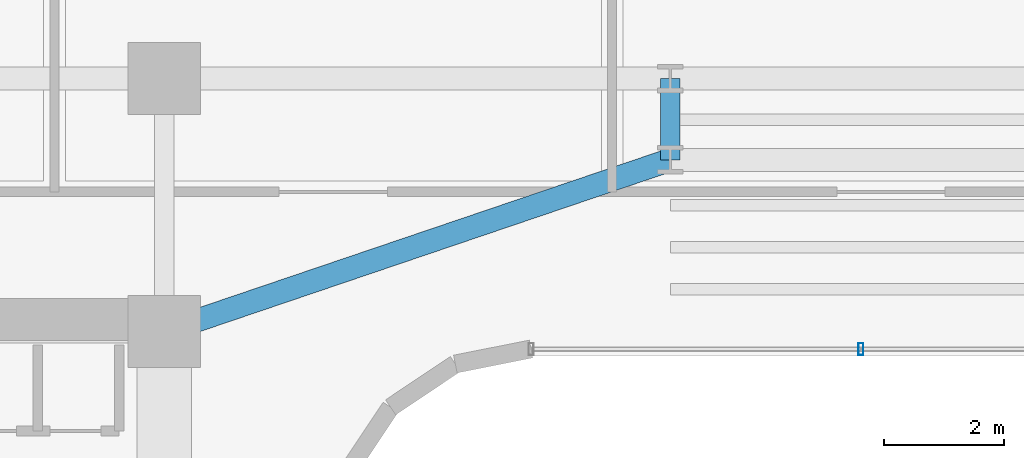
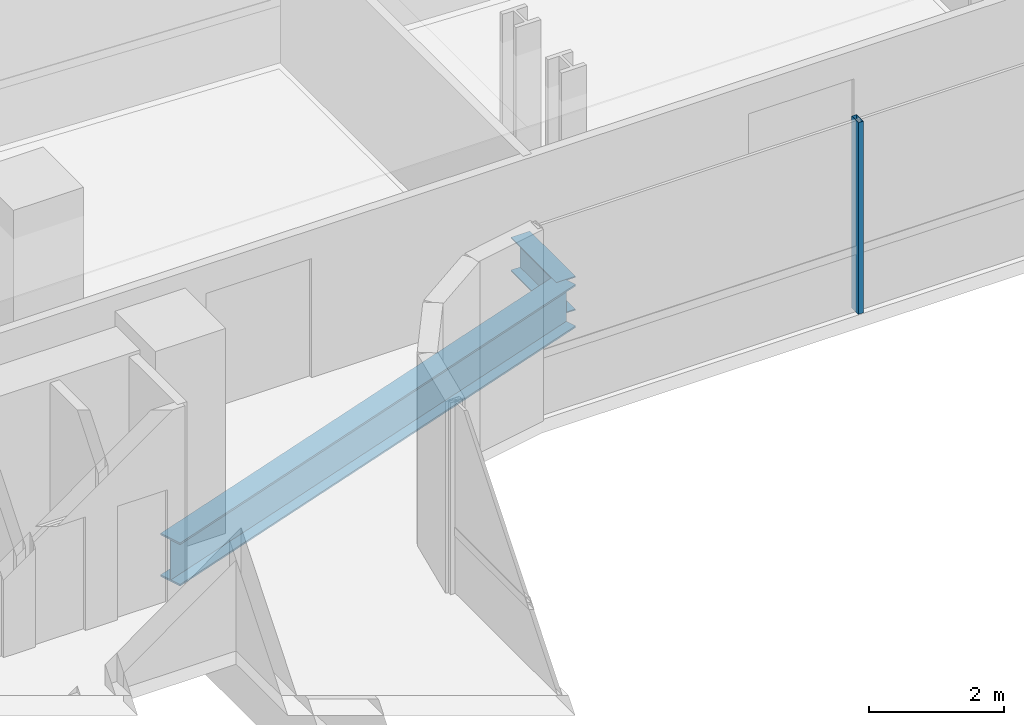
# One storey, part 10 of 35: 2 beams, 1 member, 1 element without a shape of its own.
"""IFC4 building model written with IfcOpenShell, lengths in metres."""

import ifcopenshell
import ifcopenshell.guid

model = None  # the IFC model being written
_history = None  # IfcOwnerHistory: only IFC2X3 demands one
_inside = {}  # id of a spatial element -> (the spatial element, [elements in it])
_under = {}  # id of a project, library or spatial element -> (it, [spatial elements below it])
_declared = {}  # id of a project -> (the project, [libraries it declares])
_typed = {}  # id of a type object -> (the type object, [elements of that type])
_made_of = {}  # id of a material, layer set ... -> (it, [elements and type objects made of it])


def new_model(schema):
    """Start an empty IFC model of exactly this schema.

    Asked for "IFC4X3", IfcOpenShell would pick the latest addendum, in which some entities
    have other attributes; the version numbers below select the first issue.
    IFC2X3 requires an IfcOwnerHistory on every rooted entity: one is made here for all.
    """
    global model, _history
    if schema == "IFC4X3":
        model = ifcopenshell.file(schema_version=(4, 3, 0, 0))
    else:
        model = ifcopenshell.file(schema=schema)
    _inside.clear()
    _under.clear()
    _declared.clear()
    _typed.clear()
    _made_of.clear()
    _history = None
    if model.schema == "IFC2X3":
        org = make("IfcOrganization", Name="unknown")
        user = make(
            "IfcPersonAndOrganization",
            ThePerson=make("IfcPerson", FamilyName="unknown"),
            TheOrganization=org,
        )
        app = make(
            "IfcApplication",
            ApplicationDeveloper=org,
            Version="unknown",
            ApplicationFullName="unknown",
            ApplicationIdentifier="unknown",
        )
        _history = make(
            "IfcOwnerHistory",
            OwningUser=user,
            OwningApplication=app,
            ChangeAction="ADDED",
            CreationDate=0,
        )
    return model


def make(cls, **values):
    """One entity of the class cls with the attributes given. An attribute that is None is left unset."""
    return model.create_entity(
        cls, **{name: value for name, value in values.items() if value is not None}
    )


def rooted(cls, **values):
    """An entity with a GlobalId (a new one), such as an element, a storey or a relation."""
    return make(cls, GlobalId=ifcopenshell.guid.new(), OwnerHistory=_history, **values)


def si_unit(unit_type, name, prefix=None):
    """IfcSIUnit, for example si_unit("LENGTHUNIT", "METRE", prefix="MILLI")."""
    return make("IfcSIUnit", UnitType=unit_type, Prefix=prefix, Name=name)


def assignment(units):
    """IfcUnitAssignment: the units of a project."""
    return None if units is None else make("IfcUnitAssignment", Units=units)


def point(xyz):
    """IfcCartesianPoint."""
    return None if xyz is None else make("IfcCartesianPoint", Coordinates=xyz)


def direction(xyz):
    """IfcDirection."""
    return None if xyz is None else make("IfcDirection", DirectionRatios=xyz)


def frame(location, z_axis=None, x_axis=None):
    """IfcAxis2Placement3D, a coordinate frame: its origin and axes. An axis left out is left unset."""
    return make(
        "IfcAxis2Placement3D",
        Location=point(location),
        Axis=direction(z_axis),
        RefDirection=direction(x_axis),
    )


def frame_2d(location, x_axis=None):
    """IfcAxis2Placement2D, a coordinate frame in the plane: its origin and x axis."""
    return make(
        "IfcAxis2Placement2D", Location=point(location), RefDirection=direction(x_axis)
    )


def origin():
    """The frame at (0, 0, 0) with its axes left unset."""
    return frame((0.0, 0.0, 0.0))


def origin_2d():
    """The frame at (0, 0) in the plane with its x axis left unset."""
    return frame_2d((0.0, 0.0))


def place(relative_to, where):
    """IfcLocalPlacement: puts the frame where relative to a parent placement (None: the world)."""
    return make(
        "IfcLocalPlacement", PlacementRelTo=relative_to, RelativePlacement=where
    )


def context(
    kind, dimensions, precision=None, world=None, true_north=None, identifier=None
):
    """IfcGeometricRepresentationContext, for example the 3D "Model" context."""
    return make(
        "IfcGeometricRepresentationContext",
        ContextIdentifier=identifier,
        ContextType=kind,
        CoordinateSpaceDimension=dimensions,
        Precision=precision,
        WorldCoordinateSystem=world,
        TrueNorth=true_north,
    )


def subcontext(parent, identifier, kind, view, scale=None):
    """IfcGeometricRepresentationSubContext, for example "Body" below "Model"."""
    return make(
        "IfcGeometricRepresentationSubContext",
        ContextIdentifier=identifier,
        ContextType=kind,
        ParentContext=parent,
        TargetScale=scale,
        TargetView=view,
    )


def project(units=None, contexts=None):
    """IfcProject with its units and contexts."""
    return rooted(
        "IfcProject",
        Name="project",
        RepresentationContexts=contexts,
        UnitsInContext=assignment(units),
    )


def spatial(cls, under=None, at=None, **own):
    """A site, building, storey or space (cls), placed at a placement, below another one or the project."""
    s = rooted(cls, ObjectPlacement=at, **own)
    if under is not None:
        _under.setdefault(under.id(), (under, []))[1].append(s)
    return s


def profile(cls, at=None, kind="AREA", **sizes):
    """A parametric profile (cls). Its sizes go by their IFC names, for example OverallWidth=200.0."""
    return make(cls, ProfileType=kind, Position=at, **sizes)


def hollow_rectangle(**sizes):
    """IfcRectangleHollowProfileDef."""
    return profile("IfcRectangleHollowProfileDef", **sizes)


def i_section(**sizes):
    """IfcIShapeProfileDef."""
    return profile("IfcIShapeProfileDef", **sizes)


def extrude(swept, where, along, depth):
    """IfcExtrudedAreaSolid: the profile swept, set in the frame where, extruded along a direction by depth."""
    return make(
        "IfcExtrudedAreaSolid",
        SweptArea=swept,
        Position=where,
        ExtrudedDirection=direction(along),
        Depth=depth,
    )


def shape(context_of_items, identifier, shape_type, items):
    """IfcShapeRepresentation: the items that make up one representation, for example the "Body"."""
    return make(
        "IfcShapeRepresentation",
        ContextOfItems=context_of_items,
        RepresentationIdentifier=identifier,
        RepresentationType=shape_type,
        Items=items,
    )


def source(mapping_origin, context_of_items, identifier, shape_type, items):
    """IfcRepresentationMap: a shape defined once, which mapped items show again and again."""
    return make(
        "IfcRepresentationMap",
        MappingOrigin=mapping_origin,
        MappedRepresentation=shape(context_of_items, identifier, shape_type, items),
    )


def transform(
    local_origin,
    x_axis=None,
    y_axis=None,
    z_axis=None,
    scale=None,
    scale2=None,
    scale3=None,
    uniform=True,
):
    """IfcCartesianTransformationOperator3D, or its non-uniform kind. x_axis, y_axis, z_axis: its Axis1, 2, 3."""
    if uniform:
        return make(
            "IfcCartesianTransformationOperator3D",
            Axis1=direction(x_axis),
            Axis2=direction(y_axis),
            LocalOrigin=point(local_origin),
            Scale=scale,
            Axis3=direction(z_axis),
        )
    return make(
        "IfcCartesianTransformationOperator3DnonUniform",
        Axis1=direction(x_axis),
        Axis2=direction(y_axis),
        LocalOrigin=point(local_origin),
        Scale=scale,
        Axis3=direction(z_axis),
        Scale2=scale2,
        Scale3=scale3,
    )


def mapped(mapping_source, mapping_target):
    """IfcMappedItem: shows the shape of a source again, moved by a transform."""
    return make(
        "IfcMappedItem", MappingSource=mapping_source, MappingTarget=mapping_target
    )


def material(Name=None, Category=None):
    """IfcMaterial."""
    return make("IfcMaterial", Name=Name, Category=Category)


def material_profile(
    of_material, cross_section, Name=None, Category=None, Priority=None
):
    """IfcMaterialProfile: a cross section and its material."""
    return make(
        "IfcMaterialProfile",
        Name=Name,
        Material=of_material,
        Profile=cross_section,
        Priority=Priority,
        Category=Category,
    )


def profile_set(profiles, Name=None, composite=None):
    """IfcMaterialProfileSet."""
    return make(
        "IfcMaterialProfileSet",
        Name=Name,
        MaterialProfiles=profiles,
        CompositeProfile=composite,
    )


def made_of(thing, what):
    """Note that an element or type object is made of a material, layer set ...; save() writes the relation."""
    if what is not None:
        _made_of.setdefault(what.id(), (what, []))[1].append(thing)
    return thing


def type_object(cls, material=None, **own):
    """A type object (cls), such as IfcWallType, which elements share."""
    return made_of(rooted(cls, **own), material)


def element(
    cls,
    number,
    at=None,
    inside=None,
    cuts=None,
    type_object=None,
    material=None,
    context=None,
    identifier="Body",
    shape_type=None,
    held_by="IfcProductDefinitionShape",
    body=None,
    shapes=None,
    **own,
):
    """One element of the class cls, such as IfcWall. Its Tag is "e" and its number.

    at: its placement. inside: the storey or other place that contains it. cuts: it is an
    opening in that element (IfcRelVoidsElement). A single representation is given by context,
    identifier, shape_type and body (its items); several are given by shapes. held_by: the class
    of the entity that holds the representations. save() writes the other relations.
    """
    e = rooted(cls, Tag="e%d" % number, ObjectPlacement=at, **own)
    if body is not None:
        shapes = [shape(context, identifier, shape_type, body)]
    if shapes is not None:
        e.Representation = make(held_by, Representations=shapes)
    if inside is not None:
        _inside.setdefault(inside.id(), (inside, []))[1].append(e)
    if cuts is not None:
        rooted(
            "IfcRelVoidsElement", RelatingBuildingElement=cuts, RelatedOpeningElement=e
        )
    if type_object is not None:
        _typed.setdefault(type_object.id(), (type_object, []))[1].append(e)
    return made_of(e, material)


def aggregate(whole, parts):
    """IfcRelAggregates: a whole, such as a stair, and the parts it consists of."""
    return rooted("IfcRelAggregates", RelatingObject=whole, RelatedObjects=parts)


def save(model, path):
    """Write the relations noted so far, then the file.

    IfcRelAggregates (storeys below a building ...), IfcRelContainedInSpatialStructure (elements
    in a storey), IfcRelDefinesByType, IfcRelAssociatesMaterial and IfcRelDeclares: one each for
    every whole, place, type object, material and project.
    """
    for whole, parts in _under.values():
        aggregate(whole, parts)
    for where, things in _inside.values():
        rooted(
            "IfcRelContainedInSpatialStructure",
            RelatedElements=things,
            RelatingStructure=where,
        )
    for kind, things in _typed.values():
        rooted("IfcRelDefinesByType", RelatedObjects=things, RelatingType=kind)
    for what, things in _made_of.values():
        rooted("IfcRelAssociatesMaterial", RelatedObjects=things, RelatingMaterial=what)
    for by, libraries in _declared.values():
        rooted("IfcRelDeclares", RelatingContext=by, RelatedDefinitions=libraries)
    model.write(path)


model = new_model("IFC4")

# Units and contexts
model_context = context("Model", 3, precision=1e-05, world=origin(), true_north=direction((0.0, 1.0)))
body_context = subcontext(model_context, "Body", "Model", "MODEL_VIEW")
ifc_project = project(units=[si_unit("LENGTHUNIT", "METRE"), si_unit("AREAUNIT", "SQUARE_METRE"), si_unit("VOLUMEUNIT", "CUBIC_METRE"), si_unit("PLANEANGLEUNIT", "RADIAN"), si_unit("MASSUNIT", "GRAM", prefix="KILO")], contexts=[model_context])

# Site, building, storey
site_placement = place(None, origin())
site = spatial("IfcSite", under=ifc_project, at=site_placement, CompositionType="ELEMENT")
building_placement = place(site_placement, origin())
building = spatial("IfcBuilding", under=site, at=building_placement, Name="Valdorenza Pilgrim Sanctuary Tower", CompositionType="ELEMENT")
storey_placement = place(building_placement, frame((0.0, 0.0, 139.0)))
storey = spatial("IfcBuildingStorey", under=building, at=storey_placement, Name="L35", CompositionType="ELEMENT", Elevation=139.0)

# Beams
ifc_material_1 = material(Name="Steel ASTM A992 Grade 50", Category="steel")
ifc_material_profile_1 = material_profile(ifc_material_1, i_section(OverallWidth=0.323974609375, OverallDepth=0.611083984375, WebThickness=0.0126953125, FlangeThickness=0.01904296875, at=origin_2d()), Name="W24X104")
ifc_profile_set_1 = profile_set([ifc_material_profile_1], Name="Steel ASTM A992 Grade 50")
beam_type_1 = type_object("IfcBeamType", Name="STR-BM-GRD-W24B", PredefinedType="BEAM", material=ifc_profile_set_1)
shared_shape_1 = source(origin(), body_context, "Body", "SweptSolid", [
    extrude(i_section(OverallWidth=0.323974609375, OverallDepth=0.611083984375, WebThickness=0.0126953125, FlangeThickness=0.01904296875, at=origin_2d()), origin(), (0.0, 0.0, 1.0), 1.35009765625),
])
beam_1_placement = place(storey_placement, frame((-4.0, 13.449951171875, -0.54541015625), z_axis=(0.0, 1.0, 0.0), x_axis=(-1.0, 0.0, 0.0)))
element("IfcBeam", 1, at=beam_1_placement, inside=storey, type_object=beam_type_1, Name="L35 Floor Girder KNK-TIE-W", PredefinedType="BEAM", context=body_context, shape_type="MappedRepresentation", body=[
    mapped(shared_shape_1, transform((0.0, 0.0, 0.0), x_axis=(1.0, 0.0, 0.0), y_axis=(0.0, 1.0, 0.0), z_axis=(0.0, 0.0, 1.0), scale=1.0)),
])
ifc_material_profile_2 = material_profile(ifc_material_1, i_section(OverallWidth=0.382080078125, OverallDepth=0.779052734375, WebThickness=0.01806640625, FlangeThickness=0.030029296875, at=origin_2d()), Name="W30X191")
ifc_profile_set_2 = profile_set([ifc_material_profile_2], Name="Steel ASTM A992 Grade 50")
beam_type_2 = type_object("IfcBeamType", Name="STR-BM-GRD-W30", PredefinedType="BEAM", material=ifc_profile_set_2)
shared_shape_2 = source(origin(), body_context, "Body", "SweptSolid", [
    extrude(i_section(OverallWidth=0.382080078125, OverallDepth=0.779052734375, WebThickness=0.01806640625, FlangeThickness=0.030029296875, at=origin_2d()), origin(), (0.0, 0.0, 1.0), 8.8701171875),
])
beam_2_placement = place(storey_placement, frame((-12.39990234375, 10.60009765625, -0.62939453125), z_axis=(0.946982588361, 0.321284885018, 0.0), x_axis=(-0.321284885018, 0.946982588361, 0.0)))
element("IfcBeam", 2, at=beam_2_placement, inside=storey, type_object=beam_type_2, Name="L35 Floor Girder KNK-G1", PredefinedType="BEAM", context=body_context, shape_type="MappedRepresentation", body=[
    mapped(shared_shape_2, transform((0.0, 0.0, 0.0), x_axis=(1.0, 0.0, 0.0), y_axis=(0.0, 1.0, 0.0), z_axis=(0.0, 0.0, 1.0), scale=1.0)),
])

# Curtain wall, member
ifc_material_2 = material(Name="Curtain-wall IGU glazing", Category="glass")
curtain_wall_type = type_object("IfcCurtainWallType", Name="CW-SYS-02", PredefinedType="NOTDEFINED", material=ifc_material_2)
curtain_wall_placement = place(storey_placement, origin())
curtain_wall = element("IfcCurtainWall", 3, at=curtain_wall_placement, inside=storey, type_object=curtain_wall_type, Name="L35 Curtain Wall CW-L35-1-36", PredefinedType="NOTDEFINED")
ifc_material_3 = material(Name="Anodised aluminium AW-6060", Category="aluminium")
ifc_material_profile_3 = material_profile(ifc_material_3, hollow_rectangle(XDim=0.0849609375, YDim=0.199951171875, WallThickness=0.0048828125, at=origin_2d()), Name="ALU-M 200x85x5")
ifc_profile_set_3 = profile_set([ifc_material_profile_3], Name="Anodised aluminium AW-6060")
member_type = type_object("IfcMemberType", Name="CW-MUL-02", PredefinedType="MULLION", material=ifc_profile_set_3)
shared_shape_3 = source(origin(), body_context, "Body", "SweptSolid", [
    extrude(hollow_rectangle(XDim=0.0849609375, YDim=0.199951171875, WallThickness=0.0048828125, at=origin_2d()), origin(), (0.0, 0.0, 1.0), 3.4599609375),
])
member_placement = place(storey_placement, frame((-0.8369140625, 10.31005859375, 0.0), z_axis=(0.0, 0.0, 1.0), x_axis=(-1.0, 0.0, 0.0)))
member = element("IfcMember", 4, at=member_placement, type_object=member_type, Name="CW-L35-1-36 Mullion 3", PredefinedType="MULLION", context=body_context, shape_type="MappedRepresentation", body=[
    mapped(shared_shape_3, transform((0.0, 0.0, 0.0), x_axis=(1.0, 0.0, 0.0), y_axis=(0.0, 1.0, 0.0), z_axis=(0.0, 0.0, 1.0), scale=1.0)),
])
aggregate(curtain_wall, [member])

save(model, "model.ifc")
